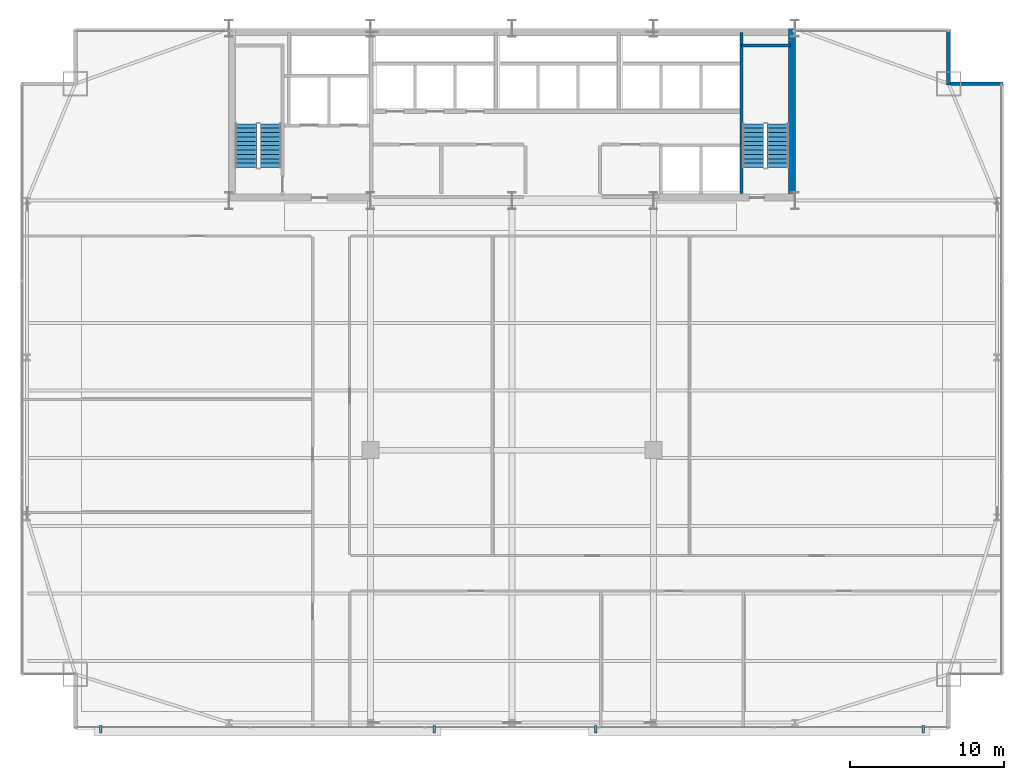
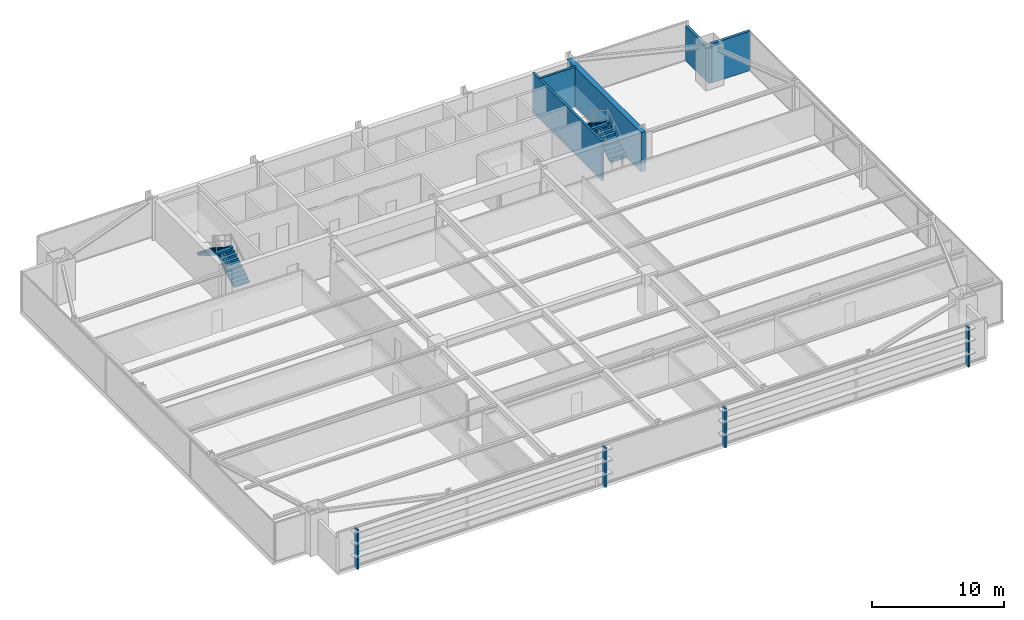
# One storey, part 30 of 32: 5 walls, 4 discrete accessories, 4 stair flights, 2 elements without a shape of their own.
"""IFC4 building model written with IfcOpenShell, lengths in metres."""

from ifc_helpers import new_model, si_unit, direction, frame, frame_2d, origin, origin_2d, place, context, subcontext, project, spatial, polyline, rectangle, outline, extrude, source, transform, mapped, material, layer, layer_set, type_object, type_shapes, element, aggregate, save


model = new_model("IFC4")

# Units and contexts
model_context = context("Model", 3, precision=1e-05, world=origin(), true_north=direction((0.0, 1.0)))
body_context = subcontext(model_context, "Body", "Model", "MODEL_VIEW")
ifc_project = project(units=[si_unit("LENGTHUNIT", "METRE"), si_unit("AREAUNIT", "SQUARE_METRE"), si_unit("VOLUMEUNIT", "CUBIC_METRE"), si_unit("PLANEANGLEUNIT", "RADIAN"), si_unit("MASSUNIT", "GRAM", prefix="KILO")], contexts=[model_context])

# Site, building, storey
site_placement = place(None, origin())
site = spatial("IfcSite", under=ifc_project, at=site_placement, CompositionType="ELEMENT")
building_placement = place(site_placement, origin())
building = spatial("IfcBuilding", under=site, at=building_placement, Name="Varnel Quay Broadcast Tower", CompositionType="ELEMENT")
storey_placement = place(building_placement, frame((0.0, 0.0, 54.89990234375)))
storey = spatial("IfcBuildingStorey", under=building, at=storey_placement, Name="L12", CompositionType="ELEMENT", Elevation=54.89990234375)

# Walls
ifc_material_1 = material(Name="Concrete CSA A23.3 C50/60", Category="concrete")
ifc_layer_1 = layer(ifc_material_1, 0.199951171875, Name="Concrete CSA A23.3 C50/60")
ifc_layer_set_1 = layer_set([ifc_layer_1], Name="Concrete CSA A23.3 C50/60")
wall_type_1 = type_object("IfcWallType", Name="Wall_CoreShaftShear200", PredefinedType="SHEAR", material=ifc_layer_set_1)
wall_1_placement = place(storey_placement, frame((48.919921875, 36.050048828125, 0.0), z_axis=(0.0, 0.0, 1.0), x_axis=(0.0, 1.0, 0.0)))
element("IfcWall", 1, at=wall_1_placement, inside=storey, type_object=wall_type_1, Name="L12 Stair 2 West Structural Wall", PredefinedType="SHEAR", context=body_context, shape_type="SweptSolid", body=[
    extrude(rectangle(XDim=10.5, YDim=0.199951171875, at=frame_2d((5.25, 0.0))), origin(), (0.0, 0.0, 1.0), 3.650146484375),
])
wall_2_placement = place(storey_placement, frame((48.919921875, 45.679931640625, 0.0), z_axis=(0.0, 0.0, 1.0), x_axis=(1.0, 0.0, 0.0)))
element("IfcWall", 2, at=wall_2_placement, inside=storey, type_object=wall_type_1, Name="L12 Stair 2 North Structural Wall", PredefinedType="SHEAR", context=body_context, shape_type="SweptSolid", body=[
    extrude(rectangle(XDim=3.18017578125, YDim=0.199951171875, at=frame_2d((1.590087890625, 0.0))), origin(), (0.0, 0.0, 1.0), 3.650146484375),
])
ifc_material_2 = material(Name="Concrete CSA A23.3 C60/75", Category="concrete")
ifc_layer_2 = layer(ifc_material_2, 0.449951171875, Name="Concrete CSA A23.3 C60/75")
ifc_layer_set_2 = layer_set([ifc_layer_2], Name="Concrete CSA A23.3 C60/75")
wall_type_2 = type_object("IfcWallType", Name="Wall_CoreShearInt450", PredefinedType="SHEAR", material=ifc_layer_set_2)
wall_3_placement = place(storey_placement, frame((52.205078125, 35.570068359375, 0.0), z_axis=(0.0, 0.0, 1.0), x_axis=(0.0, 1.0, 0.0)))
element("IfcWall", 3, at=wall_3_placement, inside=storey, type_object=wall_type_2, Name="L12 East Core Shear Wall", PredefinedType="SHEAR", context=body_context, shape_type="SweptSolid", body=[
    extrude(rectangle(XDim=11.22998046875, YDim=0.449951171875, at=frame_2d((5.614990234375, 0.0))), origin(), (0.0, 0.0, 1.0), 3.650146484375),
])
ifc_material_3 = material(Name="Precast Architectural Concrete C40/50", Category="concrete")
ifc_layer_3 = layer(ifc_material_3, 0.25, Name="Precast Architectural Concrete C40/50")
ifc_layer_set_3 = layer_set([ifc_layer_3], Name="Precast Architectural Concrete C40/50")
wall_type_3 = type_object("IfcWallType", Name="Wall_ExtTerrace250", PredefinedType="SOLIDWALL", material=ifc_layer_set_3)
wall_4_placement = place(storey_placement, frame((62.530029296875, 43.199951171875, 0.0), z_axis=(0.0, 0.0, 1.0), x_axis=(1.0, 0.0, 0.0)))
element("IfcWall", 4, at=wall_4_placement, inside=storey, type_object=wall_type_3, Name="L12 Mega-Column Notch Cladding Wall NNE1", PredefinedType="SOLIDWALL", context=body_context, shape_type="SweptSolid", body=[
    extrude(rectangle(XDim=3.389892578125, YDim=0.25, at=frame_2d((1.69482421875, 0.0))), origin(), (0.0, 0.0, 1.0), 3.630126953125),
])
wall_5_placement = place(storey_placement, frame((62.39990234375, 43.1201171875, 0.0), z_axis=(0.0, 0.0, 1.0), x_axis=(0.0, 1.0, 0.0)))
element("IfcWall", 5, at=wall_5_placement, inside=storey, type_object=wall_type_3, Name="L12 Mega-Column Notch Cladding Wall NNE2", PredefinedType="SOLIDWALL", context=body_context, shape_type="SweptSolid", body=[
    extrude(rectangle(XDim=3.599853515625, YDim=0.25, at=frame_2d((1.7998046875, 0.0))), origin(), (0.0, 0.0, 1.0), 3.2080078125),
])

# Stair, stair flights
ifc_material_4 = material(Name="Precast Structural Concrete C40/50", Category="concrete")
stair_type_1 = type_object("IfcStairType", Name="Stair_ST-01", PredefinedType="HALF_TURN_STAIR", material=ifc_material_4)
stair_1_placement = place(storey_placement, origin())
stair_1 = element("IfcStair", 6, at=stair_1_placement, inside=storey, type_object=stair_type_1, Name="L12 West Core Exit Stair 1", PredefinedType="HALF_TURN_STAIR")
stair_flight_type_1 = type_object("IfcStairFlightType", Name="Flight_ST-01", PredefinedType="STRAIGHT", material=ifc_material_4)
stair_flight_1_placement = place(storey_placement, frame((18.300048828125, 37.75, 0.0), z_axis=(0.0, 0.0, 1.0), x_axis=(0.0, 1.0, 0.0)))
stair_flight_1 = element("IfcStairFlight", 7, at=stair_flight_1_placement, type_object=stair_flight_type_1, Name="ST-01 flight 1", NumberOfRisers=11, NumberOfTreads=10, PredefinedType="STRAIGHT", RiserHeight=0.177272727, TreadLength=0.285, context=body_context, shape_type="SweptSolid", body=[
    extrude(outline(polyline([(0.0, 0.0), (0.0, 0.17724609375), (0.284912109375, 0.17724609375), (0.284912109375, 0.3544921875), (0.570068359375, 0.3544921875), (0.570068359375, 0.53173828125), (0.85498046875, 0.53173828125), (0.85498046875, 0.708984375), (1.139892578125, 0.708984375), (1.139892578125, 0.886474609375), (1.425048828125, 0.886474609375), (1.425048828125, 1.063720703125), (1.7099609375, 1.063720703125), (1.7099609375, 1.240966796875), (1.9951171875, 1.240966796875), (1.9951171875, 1.418212890625), (2.280029296875, 1.418212890625), (2.280029296875, 1.595458984375), (2.56494140625, 1.595458984375), (2.56494140625, 1.772705078125), (2.85009765625, 1.772705078125), (2.85009765625, 1.949951171875), (2.85009765625, 1.59619140625), (0.283935546875, 0.0), (0.0, 0.0)])), frame((0.0, 0.699951171875, 0.0), z_axis=(0.0, -1.0, 0.0), x_axis=(1.0, 0.0, 0.0)), (0.0, 0.0, 1.0), 1.39990234375),
])
stair_flight_2_placement = place(storey_placement, frame((16.699951171875, 40.60009765625, 1.9501953125), z_axis=(0.0, 0.0, 1.0), x_axis=(0.0, -1.0, 0.0)))
stair_flight_2 = element("IfcStairFlight", 8, at=stair_flight_2_placement, type_object=stair_flight_type_1, Name="ST-01 flight 2", NumberOfRisers=11, NumberOfTreads=10, PredefinedType="STRAIGHT", RiserHeight=0.177272727, TreadLength=0.285, context=body_context, shape_type="SweptSolid", body=[
    extrude(outline(polyline([(0.0, 0.0), (0.0, 0.17724609375), (0.284912109375, 0.17724609375), (0.284912109375, 0.3544921875), (0.570068359375, 0.3544921875), (0.570068359375, 0.53173828125), (0.85498046875, 0.53173828125), (0.85498046875, 0.708984375), (1.139892578125, 0.708984375), (1.139892578125, 0.886474609375), (1.425048828125, 0.886474609375), (1.425048828125, 1.063720703125), (1.7099609375, 1.063720703125), (1.7099609375, 1.240966796875), (1.9951171875, 1.240966796875), (1.9951171875, 1.418212890625), (2.280029296875, 1.418212890625), (2.280029296875, 1.595458984375), (2.56494140625, 1.595458984375), (2.56494140625, 1.772705078125), (2.85009765625, 1.772705078125), (2.85009765625, 1.949951171875), (2.85009765625, 1.59619140625), (0.283935546875, 0.0), (0.0, 0.0)])), frame((0.0, 0.699951171875, 0.0), z_axis=(0.0, -1.0, 0.0), x_axis=(1.0, 0.0, 0.0)), (0.0, 0.0, 1.0), 1.39990234375),
])
aggregate(stair_1, [stair_flight_1, stair_flight_2])

stair_type_2 = type_object("IfcStairType", Name="Stair_ST-02", PredefinedType="HALF_TURN_STAIR", material=ifc_material_4)
stair_2_placement = place(storey_placement, origin())
stair_2 = element("IfcStair", 9, at=stair_2_placement, inside=storey, type_object=stair_type_2, Name="L12 East Core Exit Stair 2", PredefinedType="HALF_TURN_STAIR")
stair_flight_type_2 = type_object("IfcStairFlightType", Name="Flight_ST-02", PredefinedType="STRAIGHT", material=ifc_material_4)
stair_flight_3_placement = place(storey_placement, frame((51.300048828125, 37.75, 0.0), z_axis=(0.0, 0.0, 1.0), x_axis=(0.0, 1.0, 0.0)))
stair_flight_3 = element("IfcStairFlight", 10, at=stair_flight_3_placement, type_object=stair_flight_type_2, Name="ST-02 flight 1", NumberOfRisers=11, NumberOfTreads=10, PredefinedType="STRAIGHT", RiserHeight=0.177272727, TreadLength=0.285, context=body_context, shape_type="SweptSolid", body=[
    extrude(outline(polyline([(0.0, 0.0), (0.0, 0.17724609375), (0.284912109375, 0.17724609375), (0.284912109375, 0.3544921875), (0.570068359375, 0.3544921875), (0.570068359375, 0.53173828125), (0.85498046875, 0.53173828125), (0.85498046875, 0.708984375), (1.139892578125, 0.708984375), (1.139892578125, 0.886474609375), (1.425048828125, 0.886474609375), (1.425048828125, 1.063720703125), (1.7099609375, 1.063720703125), (1.7099609375, 1.240966796875), (1.9951171875, 1.240966796875), (1.9951171875, 1.418212890625), (2.280029296875, 1.418212890625), (2.280029296875, 1.595458984375), (2.56494140625, 1.595458984375), (2.56494140625, 1.772705078125), (2.85009765625, 1.772705078125), (2.85009765625, 1.949951171875), (2.85009765625, 1.59619140625), (0.283935546875, 0.0), (0.0, 0.0)])), frame((0.0, 0.699951171875, 0.0), z_axis=(0.0, -1.0, 0.0), x_axis=(1.0, 0.0, 0.0)), (0.0, 0.0, 1.0), 1.39990234375),
])
stair_flight_4_placement = place(storey_placement, frame((49.699951171875, 40.60009765625, 1.9501953125), z_axis=(0.0, 0.0, 1.0), x_axis=(0.0, -1.0, 0.0)))
stair_flight_4 = element("IfcStairFlight", 11, at=stair_flight_4_placement, type_object=stair_flight_type_2, Name="ST-02 flight 2", NumberOfRisers=11, NumberOfTreads=10, PredefinedType="STRAIGHT", RiserHeight=0.177272727, TreadLength=0.285, context=body_context, shape_type="SweptSolid", body=[
    extrude(outline(polyline([(0.0, 0.0), (0.0, 0.17724609375), (0.284912109375, 0.17724609375), (0.284912109375, 0.3544921875), (0.570068359375, 0.3544921875), (0.570068359375, 0.53173828125), (0.85498046875, 0.53173828125), (0.85498046875, 0.708984375), (1.139892578125, 0.708984375), (1.139892578125, 0.886474609375), (1.425048828125, 0.886474609375), (1.425048828125, 1.063720703125), (1.7099609375, 1.063720703125), (1.7099609375, 1.240966796875), (1.9951171875, 1.240966796875), (1.9951171875, 1.418212890625), (2.280029296875, 1.418212890625), (2.280029296875, 1.595458984375), (2.56494140625, 1.595458984375), (2.56494140625, 1.772705078125), (2.85009765625, 1.772705078125), (2.85009765625, 1.949951171875), (2.85009765625, 1.59619140625), (0.283935546875, 0.0), (0.0, 0.0)])), frame((0.0, 0.699951171875, 0.0), z_axis=(0.0, -1.0, 0.0), x_axis=(1.0, 0.0, 0.0)), (0.0, 0.0, 1.0), 1.39990234375),
])
aggregate(stair_2, [stair_flight_3, stair_flight_4])

# Discrete accessories
ifc_material_5 = material(Name="Anodised Bronze Aluminium 6063-T6", Category="aluminium")
ifc_layer_4 = layer(ifc_material_5, 0.47998046875, Name="Anodised Bronze Aluminium 6063-T6")
ifc_layer_set_4 = layer_set([ifc_layer_4], Name="Anodised Bronze Aluminium 6063-T6")
discrete_accessory_type = type_object("IfcDiscreteAccessoryType", Name="Acc_FacadeBracket", PredefinedType="BRACKET", material=ifc_layer_set_4)
shared_shape = source(origin(), body_context, "Body", "SweptSolid", [
    extrude(rectangle(XDim=0.159912109375, YDim=0.47998046875, at=origin_2d()), origin(), (0.0, 0.0, 1.0), 3.64990234375),
])
type_shapes(discrete_accessory_type, [shared_shape])
for number, where, z_axis, x_axis, name in (
    (12, (7.25, 1.219970703125, -0.14990234375), (0.0, 0.0, 1.0), (1.0, 0.0, 0.0), "L12 Lobe 1 Louvre Support Bracket 1"),
    (13, (28.93701171875, 1.219970703125, -0.14990234375), (0.0, 0.0, 1.0), (1.0, 0.0, 0.0), "L12 Lobe 1 Louvre Support Bracket 2"),
    (14, (39.43701171875, 1.219970703125, -0.14990234375), (0.0, 0.0, 1.0), (1.0, 0.0, 0.0), "L12 Lobe 2 Louvre Support Bracket 1"),
    (15, (60.75, 1.219970703125, -0.14990234375), (0.0, 0.0, 1.0), (1.0, 0.0, 0.0), "L12 Lobe 2 Louvre Support Bracket 2"),
):
    element("IfcDiscreteAccessory", number, at=place(storey_placement, frame(where, z_axis=z_axis, x_axis=x_axis)), inside=storey, type_object=discrete_accessory_type, Name=name, PredefinedType="BRACKET", context=body_context, shape_type="MappedRepresentation", body=[
        mapped(shared_shape, transform((0.0, 0.0, 0.0), x_axis=(1.0, 0.0, 0.0), y_axis=(0.0, 1.0, 0.0), z_axis=(0.0, 0.0, 1.0), scale=1.0)),
    ])

save(model, "model.ifc")
